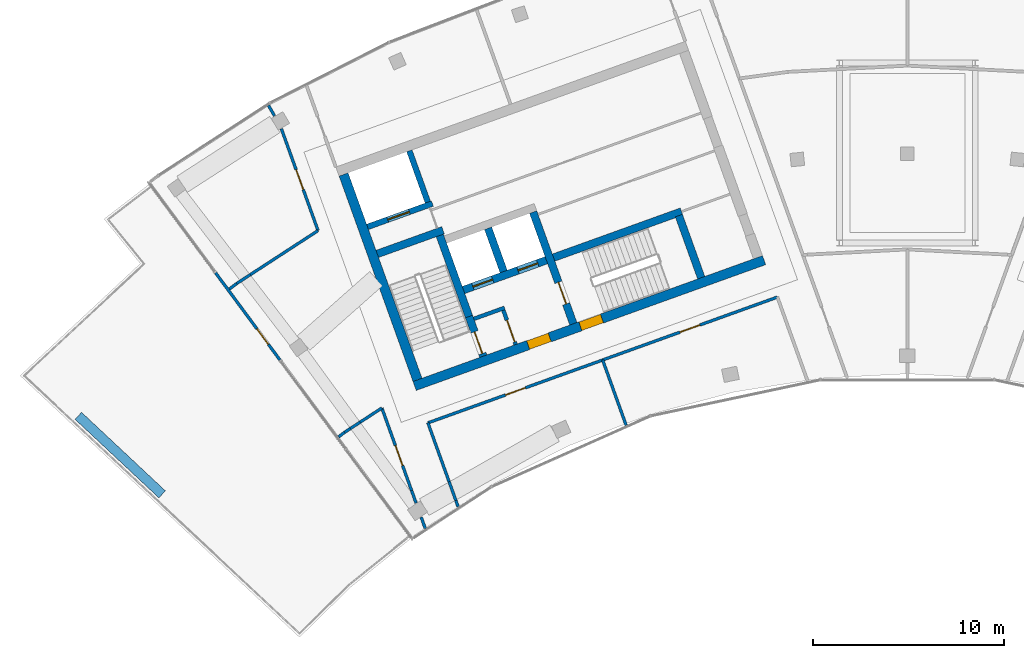
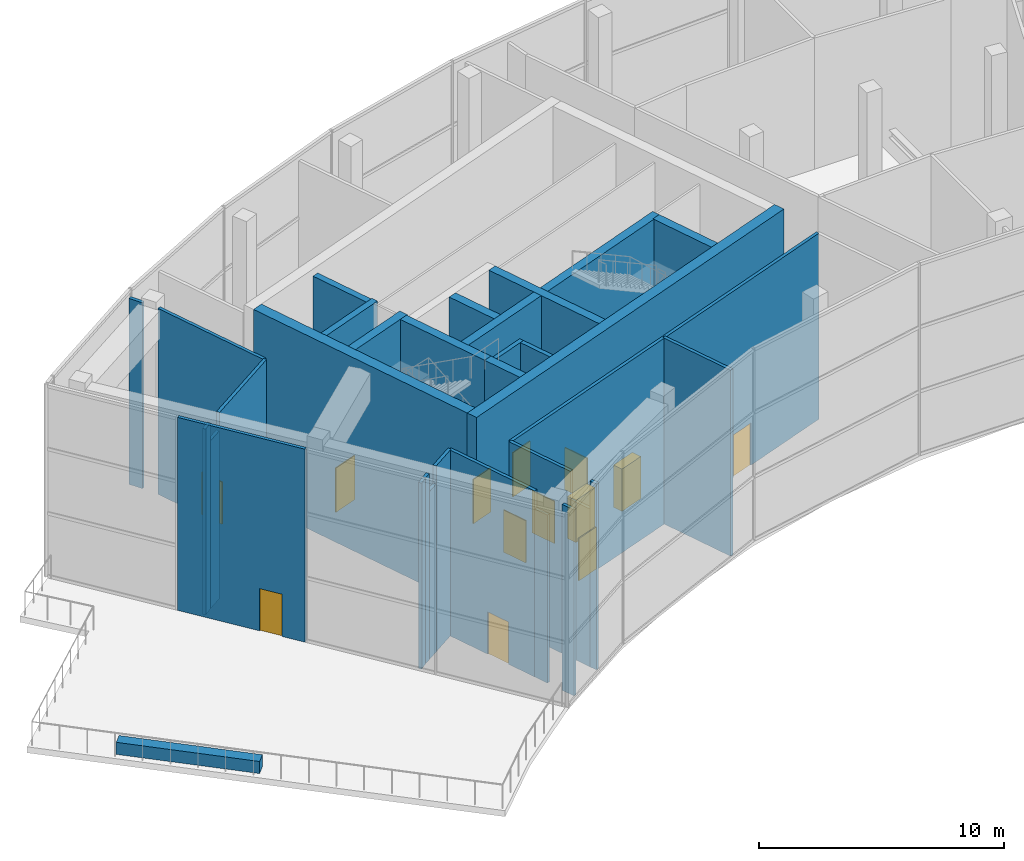
# One storey, part 13 of 20: 33 walls, 13 doors, 13 openings.
"""IFC4 building model written with IfcOpenShell, lengths in metres."""

from ifc_helpers import new_model, si_unit, direction, frame, frame_2d, origin, origin_2d, place, context, subcontext, project, spatial, rectangle, extrude, material, layer, layer_set, type_object, element, fill, save


model = new_model("IFC4")

# Units and contexts
model_context = context("Model", 3, precision=1e-05, world=origin(), true_north=direction((0.0, 1.0)))
body_context = subcontext(model_context, "Body", "Model", "MODEL_VIEW")
ifc_project = project(units=[si_unit("LENGTHUNIT", "METRE"), si_unit("AREAUNIT", "SQUARE_METRE"), si_unit("VOLUMEUNIT", "CUBIC_METRE"), si_unit("PLANEANGLEUNIT", "RADIAN"), si_unit("MASSUNIT", "GRAM", prefix="KILO")], contexts=[model_context])

# Site, building, storey
site_placement = place(None, origin())
site = spatial("IfcSite", under=ifc_project, at=site_placement, CompositionType="ELEMENT")
building_placement = place(site_placement, origin())
building = spatial("IfcBuilding", under=site, at=building_placement, Name="Stone Belt Terrace Tower", CompositionType="ELEMENT")
storey_placement = place(building_placement, frame((0.0, 0.0, 323.0)))
storey = spatial("IfcBuildingStorey", under=building, at=storey_placement, Name="L78", CompositionType="ELEMENT", Elevation=323.0)

# Wall, opening, door
ifc_material_1 = material(Name="Terracotta coloured glazed ceramic", Category="masonry")
ifc_layer_1 = layer(ifc_material_1, 0.14990234375)
ifc_layer_set_1 = layer_set([ifc_layer_1], Name="Ceramic rain-screen wall 150")
wall_type_1 = type_object("IfcWallType", Name="Ceramic rain-screen wall 150", PredefinedType="SOLIDWALL", material=ifc_layer_set_1)
wall_1_placement = place(storey_placement, frame((-36.138671875, 48.7822265625, 0.0), z_axis=(0.0, 0.0, 1.0), x_axis=(0.594245769547, -0.80428351057, 0.0)))
wall_1 = element("IfcWall", 1, at=wall_1_placement, inside=storey, type_object=wall_type_1, Name="Door wall L78", PredefinedType="SOLIDWALL", context=body_context, shape_type="SweptSolid", body=[
    extrude(rectangle(XDim=5.669921875, YDim=0.14990234375, at=frame_2d((2.8349609375, 0.0))), origin(), (0.0, 0.0, 1.0), 9.60009765625),
])
opening_1_placement = place(wall_1_placement, frame((3.64990234375, 0.0, 0.0)))
opening_1 = element("IfcOpeningElement", 2, at=opening_1_placement, cuts=wall_1, Name="Opening L78-E02", PredefinedType="OPENING", context=body_context, shape_type="SweptSolid", body=[
    extrude(rectangle(XDim=1.0, YDim=2.10009765625, at=frame_2d((0.5, 1.050048828125))), frame((0.0, 0.0849609375, 0.0), z_axis=(0.0, -1.0, 0.0), x_axis=(1.0, 0.0, 0.0)), (0.0, 0.0, 1.0), 0.169921875),
])
ifc_material_2 = material(Name="Anodised aluminium glazed door", Category="aluminium")
door_type_1 = type_object("IfcDoorType", Name="Terrace door 1000 x 2100", OperationType="NOTDEFINED", PredefinedType="DOOR", material=ifc_material_2)
door_1_placement = place(opening_1_placement, origin())
door_1 = element("IfcDoor", 3, at=door_1_placement, inside=storey, type_object=door_type_1, Name="Terrace door L78", OperationType="SINGLE_SWING_RIGHT", OverallHeight=2.10009765625, OverallWidth=1.0, PredefinedType="DOOR", context=body_context, shape_type="SweptSolid", body=[
    extrude(rectangle(XDim=1.0, YDim=2.10009765625, at=frame_2d((0.5, 1.050048828125))), frame((0.0, 0.02490234375, 0.0), z_axis=(0.0, -1.0, 0.0), x_axis=(1.0, 0.0, 0.0)), (0.0, 0.0, 1.0), 0.050048828125),
])
fill(opening_1, door_1)

# Wall, openings, doors
ifc_material_3 = material(Name="Concrete B60", Category="concrete")
ifc_layer_2 = layer(ifc_material_3, 0.5)
ifc_layer_set_2 = layer_set([ifc_layer_2], Name="Core wall 500 B60")
wall_type_2 = type_object("IfcWallType", Name="Core wall 500 B60", PredefinedType="SHEAR", material=ifc_layer_set_2)
wall_2_placement = place(storey_placement, frame((-25.736572265625, 42.867431640625, 0.0), z_axis=(0.0, 0.0, 1.0), x_axis=(0.940917407757, 0.338636134781, 0.0)))
wall_2 = element("IfcWall", 4, at=wall_2_placement, inside=storey, type_object=wall_type_2, Name="Core A wall concave L78", PredefinedType="SHEAR", context=body_context, shape_type="SweptSolid", body=[
    extrude(rectangle(XDim=19.400146484375, YDim=0.5, at=frame_2d((9.7001953125, 0.0))), origin(), (0.0, 0.0, 1.0), 9.60009765625),
])
opening_2_placement = place(wall_2_placement, frame((6.300048828125, 0.0, 0.0)))
opening_2 = element("IfcOpeningElement", 5, at=opening_2_placement, cuts=wall_2, Name="Opening L78-C07", PredefinedType="OPENING", context=body_context, shape_type="SweptSolid", body=[
    extrude(rectangle(XDim=1.199951171875, YDim=2.10009765625, at=frame_2d((0.60009765625, 1.050048828125))), frame((0.0, 0.260009765625, 0.0), z_axis=(0.0, -1.0, 0.0), x_axis=(1.0, 0.0, 0.0)), (0.0, 0.0, 1.0), 0.52001953125),
])
opening_3_placement = place(wall_2_placement, frame((9.2001953125, 0.0, 0.0)))
opening_3 = element("IfcOpeningElement", 6, at=opening_3_placement, cuts=wall_2, Name="Opening L78-C09", PredefinedType="OPENING", context=body_context, shape_type="SweptSolid", body=[
    extrude(rectangle(XDim=1.199951171875, YDim=2.10009765625, at=frame_2d((0.60009765625, 1.050048828125))), frame((0.0, 0.260009765625, 0.0), z_axis=(0.0, -1.0, 0.0), x_axis=(1.0, 0.0, 0.0)), (0.0, 0.0, 1.0), 0.52001953125),
])
ifc_material_4 = material(Name="Steel door leaf", Category="steel")
door_type_2 = type_object("IfcDoorType", Name="Fire-fighting lobby door 1200", OperationType="SINGLE_SWING_LEFT", PredefinedType="DOOR", material=ifc_material_4)
door_2_placement = place(opening_2_placement, origin())
door_2 = element("IfcDoor", 7, at=door_2_placement, inside=storey, type_object=door_type_2, Name="Fire-fighting lobby door core A", OperationType="SINGLE_SWING_RIGHT", OverallHeight=2.10009765625, OverallWidth=1.199951171875, PredefinedType="DOOR", context=body_context, shape_type="SweptSolid", body=[
    extrude(rectangle(XDim=1.199951171875, YDim=2.10009765625, at=frame_2d((0.60009765625, 1.050048828125))), frame((0.0, 0.22998046875, 0.0), z_axis=(0.0, -1.0, 0.0), x_axis=(1.0, 0.0, 0.0)), (0.0, 0.0, 1.0), 0.4599609375),
])
fill(opening_2, door_2)
door_type_3 = type_object("IfcDoorType", Name="Stair door 1200", OperationType="SINGLE_SWING_LEFT", PredefinedType="DOOR", material=ifc_material_4)
door_3_placement = place(opening_3_placement, origin())
door_3 = element("IfcDoor", 8, at=door_3_placement, inside=storey, type_object=door_type_3, Name="Stair 2 exit door core A", OperationType="SINGLE_SWING_LEFT", OverallHeight=2.10009765625, OverallWidth=1.199951171875, PredefinedType="DOOR", context=body_context, shape_type="SweptSolid", body=[
    extrude(rectangle(XDim=1.199951171875, YDim=2.10009765625, at=frame_2d((0.60009765625, 1.050048828125))), frame((0.0, 0.22998046875, 0.0), z_axis=(0.0, -1.0, 0.0), x_axis=(1.0, 0.0, 0.0)), (0.0, 0.0, 1.0), 0.4599609375),
])
fill(opening_3, door_3)

# Walls
wall_3_placement = place(storey_placement, frame((-25.5859375, 43.1875, 0.0), z_axis=(0.0, 0.0, 1.0), x_axis=(-0.338632255135, 0.940918804033, 0.0)))
element("IfcWall", 9, at=wall_3_placement, inside=storey, type_object=wall_type_2, Name="Core A wall end_a L78", PredefinedType="SHEAR", context=body_context, shape_type="SweptSolid", body=[
    extrude(rectangle(XDim=11.39990234375, YDim=0.5, at=frame_2d((5.699951171875, 0.0))), origin(), (0.0, 0.0, 1.0), 9.60009765625),
])
ifc_material_5 = material(Name="Concrete B80", Category="concrete")
ifc_layer_3 = layer(ifc_material_5, 0.39990234375)
ifc_layer_set_3 = layer_set([ifc_layer_3], Name="Fire-fighting lift shaft wall 400")
wall_type_3 = type_object("IfcWallType", Name="Fire-fighting lift shaft wall 400", PredefinedType="SHEAR", material=ifc_layer_set_3)
wall_4_placement = place(storey_placement, frame((-21.0859375, 48.845458984375, 0.0), z_axis=(0.0, 0.0, 1.0), x_axis=(-0.338629416206, 0.940919825745, 0.0)))
element("IfcWall", 10, at=wall_4_placement, inside=storey, type_object=wall_type_3, Name="Core A wall", PredefinedType="SHEAR", context=body_context, shape_type="SweptSolid", body=[
    extrude(rectangle(XDim=2.400146484375, YDim=0.39990234375, at=frame_2d((1.2001953125, 0.0))), origin(), (0.0, 0.0, 1.0), 9.25),
])

# Wall, opening, door
ifc_layer_4 = layer(ifc_material_5, 0.300048828125)
ifc_layer_set_4 = layer_set([ifc_layer_4], Name="Lift shaft wall 300")
wall_type_4 = type_object("IfcWallType", Name="Lift shaft wall 300", PredefinedType="SHEAR", material=ifc_layer_set_4)
wall_5_placement = place(storey_placement, frame((-28.195068359375, 51.17578125, 0.0), z_axis=(0.0, 0.0, 1.0), x_axis=(0.940901243567, 0.338681044427, 0.0)))
wall_5 = element("IfcWall", 11, at=wall_5_placement, inside=storey, type_object=wall_type_4, Name="Core A wall", PredefinedType="SHEAR", context=body_context, shape_type="SweptSolid", body=[
    extrude(rectangle(XDim=3.599853515625, YDim=0.300048828125, at=frame_2d((1.7998046875, 0.0))), origin(), (0.0, 0.0, 1.0), 9.25),
])
opening_4_placement = place(wall_5_placement, frame((1.1201171875, 0.0, 0.0)))
opening_4 = element("IfcOpeningElement", 12, at=opening_4_placement, cuts=wall_5, Name="Opening L78-LD03", PredefinedType="OPENING", context=body_context, shape_type="SweptSolid", body=[
    extrude(rectangle(XDim=1.199951171875, YDim=2.199951171875, at=frame_2d((0.60009765625, 1.10009765625))), frame((0.0, 0.159912109375, 0.0), z_axis=(0.0, -1.0, 0.0), x_axis=(1.0, 0.0, 0.0)), (0.0, 0.0, 1.0), 0.320068359375),
])
ifc_material_6 = material(Name="Stainless steel door leaf", Category="steel")
door_type_4 = type_object("IfcDoorType", Name="Landing door 1200", OperationType="SLIDING_TO_LEFT", PredefinedType="DOOR", material=ifc_material_6)
door_4_placement = place(opening_4_placement, origin())
door_4 = element("IfcDoor", 13, at=door_4_placement, inside=storey, type_object=door_type_4, Name="Landing door SV1 core A", OperationType="SLIDING_TO_LEFT", OverallHeight=2.199951171875, OverallWidth=1.199951171875, PredefinedType="DOOR", context=body_context, shape_type="SweptSolid", body=[
    extrude(rectangle(XDim=1.199951171875, YDim=2.199951171875, at=frame_2d((0.60009765625, 1.10009765625))), frame((0.0, 0.02490234375, 0.0), z_axis=(0.0, -1.0, 0.0), x_axis=(1.0, 0.0, 0.0)), (0.0, 0.0, 1.0), 0.050048828125),
])
fill(opening_4, door_4)

# Walls
wall_6_placement = place(storey_placement, frame((-25.046875, 52.46826171875, 0.0), z_axis=(0.0, 0.0, 1.0), x_axis=(-0.338549588058, 0.940948551423, 0.0)))
element("IfcWall", 14, at=wall_6_placement, inside=storey, type_object=wall_type_4, Name="Core A wall", PredefinedType="SHEAR", context=body_context, shape_type="SweptSolid", body=[
    extrude(rectangle(XDim=2.849853515625, YDim=0.300048828125, at=frame_2d((1.4248046875, 0.0))), origin(), (0.0, 0.0, 1.0), 9.25),
])
ifc_material_7 = material(Name="Gypsum board partition")
ifc_layer_5 = layer(ifc_material_7, 0.14990234375)
ifc_layer_set_5 = layer_set([ifc_layer_5], Name="PARTITION 150 EI 60")
wall_type_5 = type_object("IfcWallType", Name="PARTITION 150 EI 60", PredefinedType="PARTITIONING", material=ifc_layer_set_5)
wall_7_placement = place(storey_placement, frame((-25.0439453125, 40.945068359375, 0.0), z_axis=(0.0, 0.0, 1.0), x_axis=(0.33879876068, -0.940858862828, 0.0)))
element("IfcWall", 15, at=wall_7_placement, inside=storey, type_object=wall_type_5, Name="L78/wall/i001-1", PredefinedType="PARTITIONING", context=body_context, shape_type="SweptSolid", body=[
    extrude(rectangle(XDim=3.270751953125, YDim=0.14990234375, at=frame_2d((1.63525390625, 0.0))), origin(), (0.0, 0.0, 1.0), 9.25),
])
wall_8_placement = place(storey_placement, frame((-23.935791015625, 37.86767578125, 0.0), z_axis=(0.0, 0.0, 1.0), x_axis=(0.339085061731, -0.940755717979, 0.0)))
element("IfcWall", 16, at=wall_8_placement, inside=storey, type_object=wall_type_5, Name="L78/wall/i001-2", PredefinedType="PARTITIONING", context=body_context, shape_type="SweptSolid", body=[
    extrude(rectangle(XDim=1.040283203125, YDim=0.14990234375, at=frame_2d((0.52001953125, 0.0))), origin(), (0.0, 0.0, 1.0), 7.85009765625),
])
wall_9_placement = place(storey_placement, frame((-23.5830078125, 36.888916015625, 0.0), z_axis=(0.0, 0.0, 1.0), x_axis=(0.338619334667, -0.940923453948, 0.0)))
element("IfcWall", 17, at=wall_9_placement, inside=storey, type_object=wall_type_5, Name="L78/wall/i001-3", PredefinedType="PARTITIONING", context=body_context, shape_type="SweptSolid", body=[
    extrude(rectangle(XDim=0.345458984375, YDim=0.14990234375, at=frame_2d((0.1728515625, 0.0))), origin(), (0.0, 0.0, 1.0), 9.25),
])
wall_10_placement = place(storey_placement, frame((-25.181640625, 35.423828125, 0.0), z_axis=(0.0, 0.0, 1.0), x_axis=(-0.338733287136, 0.940882436963, 0.0)))
element("IfcWall", 18, at=wall_10_placement, inside=storey, type_object=wall_type_5, Name="L78/wall/i003", PredefinedType="PARTITIONING", context=body_context, shape_type="SweptSolid", body=[
    extrude(rectangle(XDim=0.62548828125, YDim=0.14990234375, at=frame_2d((0.312744140625, 0.0))), origin(), (0.0, 0.0, 1.0), 9.25),
])
wall_11_placement = place(storey_placement, frame((-25.66064453125, 36.75390625, 0.0), z_axis=(0.0, 0.0, 1.0), x_axis=(-0.338833735887, 0.940846267689, 0.0)))
element("IfcWall", 19, at=wall_11_placement, inside=storey, type_object=wall_type_5, Name="L78/wall/i004-1", PredefinedType="PARTITIONING", context=body_context, shape_type="SweptSolid", body=[
    extrude(rectangle(XDim=0.680908203125, YDim=0.14990234375, at=frame_2d((0.34033203125, 0.0))), origin(), (0.0, 0.0, 1.0), 8.35009765625),
])

# Wall, opening, door
wall_12_placement = place(storey_placement, frame((-25.891357421875, 37.39453125, 0.0), z_axis=(0.0, 0.0, 1.0), x_axis=(-0.33887021334, 0.940833130003, 0.0)))
wall_12 = element("IfcWall", 20, at=wall_12_placement, inside=storey, type_object=wall_type_5, Name="L78/wall/i004-2", PredefinedType="PARTITIONING", context=body_context, shape_type="SweptSolid", body=[
    extrude(rectangle(XDim=4.587890625, YDim=0.14990234375, at=frame_2d((2.2939453125, 0.0))), origin(), (0.0, 0.0, 1.0), 9.25),
])
opening_5_placement = place(wall_12_placement, frame((1.4033203125, 0.0, 0.0)))
opening_5 = element("IfcOpeningElement", 21, at=opening_5_placement, cuts=wall_12, Name="Opening D-C78-09", PredefinedType="OPENING", context=body_context, shape_type="SweptSolid", body=[
    extrude(rectangle(XDim=1.10009765625, YDim=2.10009765625, at=frame_2d((0.550048828125, 1.050048828125))), frame((0.0, 0.0849609375, 0.0), z_axis=(0.0, -1.0, 0.0), x_axis=(1.0, 0.0, 0.0)), (0.0, 0.0, 1.0), 0.169921875),
])
ifc_material_8 = material(Name="Steel fire door set", Category="steel")
door_type_5 = type_object("IfcDoorType", Name="SERVICE ROOM DOOR 1100 X 2100", OperationType="NOTDEFINED", PredefinedType="DOOR", material=ifc_material_8)
door_5_placement = place(opening_5_placement, origin())
door_5 = element("IfcDoor", 22, at=door_5_placement, inside=storey, type_object=door_type_5, Name="L78/door/i09", OperationType="SINGLE_SWING_RIGHT", OverallHeight=2.10009765625, OverallWidth=1.10009765625, PredefinedType="DOOR", context=body_context, shape_type="SweptSolid", body=[
    extrude(rectangle(XDim=1.10009765625, YDim=2.10009765625, at=frame_2d((0.550048828125, 1.050048828125))), frame((0.0, 0.02490234375, 0.0), z_axis=(0.0, -1.0, 0.0), x_axis=(1.0, 0.0, 0.0)), (0.0, 0.0, 1.0), 0.050048828125),
])
fill(opening_5, door_5)

# Walls
wall_13_placement = place(storey_placement, frame((-27.448974609375, 41.714111328125, 0.0), z_axis=(0.0, 0.0, 1.0), x_axis=(-0.837998084707, -0.545673171437, 0.0)))
element("IfcWall", 23, at=wall_13_placement, inside=storey, type_object=wall_type_5, Name="L78/wall/i005-1", PredefinedType="PARTITIONING", context=body_context, shape_type="SweptSolid", body=[
    extrude(rectangle(XDim=1.35302734375, YDim=0.14990234375, at=frame_2d((0.676513671875, 0.0))), origin(), (0.0, 0.0, 1.0), 9.25),
])
wall_14_placement = place(storey_placement, frame((-28.582763671875, 40.975830078125, 0.0), z_axis=(0.0, 0.0, 1.0), x_axis=(-0.838049275075, -0.545594549594, 0.0)))
element("IfcWall", 24, at=wall_14_placement, inside=storey, type_object=wall_type_5, Name="L78/wall/i005-2", PredefinedType="PARTITIONING", context=body_context, shape_type="SweptSolid", body=[
    extrude(rectangle(XDim=0.608642578125, YDim=0.14990234375, at=frame_2d((0.30419921875, 0.0))), origin(), (0.0, 0.0, 1.0), 8.35009765625),
])
wall_15_placement = place(storey_placement, frame((-29.0927734375, 40.643798828125, 0.0), z_axis=(0.0, 0.0, 1.0), x_axis=(-0.837954004387, -0.545740860236, 0.0)))
element("IfcWall", 25, at=wall_15_placement, inside=storey, type_object=wall_type_5, Name="L78/wall/i005-3", PredefinedType="PARTITIONING", context=body_context, shape_type="SweptSolid", body=[
    extrude(rectangle(XDim=0.353515625, YDim=0.14990234375, at=frame_2d((0.1767578125, 0.0))), origin(), (0.0, 0.0, 1.0), 9.25),
])
wall_16_placement = place(storey_placement, frame((-29.388916015625, 40.450927734375, 0.0), z_axis=(0.0, 0.0, 1.0), x_axis=(-0.796640936155, -0.604452825986, 0.0)))
element("IfcWall", 26, at=wall_16_placement, inside=storey, type_object=wall_type_5, Name="L78/wall/i006", PredefinedType="PARTITIONING", context=body_context, shape_type="SweptSolid", body=[
    extrude(rectangle(XDim=0.402587890625, YDim=0.14990234375, at=frame_2d((0.201171875, 0.0))), origin(), (0.0, 0.0, 1.0), 9.25),
])
wall_17_placement = place(storey_placement, frame((-35.411865234375, 47.9296875, 0.0), z_axis=(0.0, 0.0, 1.0), x_axis=(0.797533018474, 0.603275297393, 0.0)))
element("IfcWall", 27, at=wall_17_placement, inside=storey, type_object=wall_type_5, Name="L78/wall/i007", PredefinedType="PARTITIONING", context=body_context, shape_type="SweptSolid", body=[
    extrude(rectangle(XDim=0.476318359375, YDim=0.14990234375, at=frame_2d((0.23828125, 0.0))), origin(), (0.0, 0.0, 1.0), 9.25),
])
wall_18_placement = place(storey_placement, frame((-35.031982421875, 48.217041015625, 0.0), z_axis=(0.0, 0.0, 1.0), x_axis=(0.838206459551, 0.545353033518, 0.0)))
element("IfcWall", 28, at=wall_18_placement, inside=storey, type_object=wall_type_5, Name="L78/wall/i008-2", PredefinedType="PARTITIONING", context=body_context, shape_type="SweptSolid", body=[
    extrude(rectangle(XDim=0.846923828125, YDim=0.14990234375, at=frame_2d((0.42333984375, 0.0))), origin(), (0.0, 0.0, 1.0), 8.35009765625),
])
wall_19_placement = place(storey_placement, frame((-34.322021484375, 48.678955078125, 0.0), z_axis=(0.0, 0.0, 1.0), x_axis=(0.838200386121, 0.545362368254, 0.0)))
element("IfcWall", 29, at=wall_19_placement, inside=storey, type_object=wall_type_5, Name="L78/wall/i008-3", PredefinedType="PARTITIONING", context=body_context, shape_type="SweptSolid", body=[
    extrude(rectangle(XDim=4.220947265625, YDim=0.14990234375, at=frame_2d((2.1103515625, 0.0))), origin(), (0.0, 0.0, 1.0), 9.25),
])

# Wall, opening, door
wall_20_placement = place(storey_placement, frame((-30.781982421875, 50.986083984375, 0.0), z_axis=(0.0, 0.0, 1.0), x_axis=(-0.338880075228, 0.94082957788, 0.0)))
wall_20 = element("IfcWall", 30, at=wall_20_placement, inside=storey, type_object=wall_type_5, Name="L78/wall/i009", PredefinedType="PARTITIONING", context=body_context, shape_type="SweptSolid", body=[
    extrude(rectangle(XDim=5.65185546875, YDim=0.14990234375, at=frame_2d((2.825927734375, 0.0))), origin(), (0.0, 0.0, 1.0), 9.25),
])
opening_6_placement = place(wall_20_placement, frame((2.27587890625, 0.0, 0.0)))
opening_6 = element("IfcOpeningElement", 31, at=opening_6_placement, cuts=wall_20, Name="Opening D-C78-10", PredefinedType="OPENING", context=body_context, shape_type="SweptSolid", body=[
    extrude(rectangle(XDim=1.10009765625, YDim=2.10009765625, at=frame_2d((0.550048828125, 1.050048828125))), frame((0.0, 0.0849609375, 0.0), z_axis=(0.0, -1.0, 0.0), x_axis=(1.0, 0.0, 0.0)), (0.0, 0.0, 1.0), 0.169921875),
])
door_6_placement = place(opening_6_placement, origin())
door_6 = element("IfcDoor", 32, at=door_6_placement, inside=storey, type_object=door_type_5, Name="L78/door/i10", OperationType="SINGLE_SWING_RIGHT", OverallHeight=2.10009765625, OverallWidth=1.10009765625, PredefinedType="DOOR", context=body_context, shape_type="SweptSolid", body=[
    extrude(rectangle(XDim=1.10009765625, YDim=2.10009765625, at=frame_2d((0.550048828125, 1.050048828125))), frame((0.0, 0.02490234375, 0.0), z_axis=(0.0, -1.0, 0.0), x_axis=(1.0, 0.0, 0.0)), (0.0, 0.0, 1.0), 0.050048828125),
])
fill(opening_6, door_6)

# Wall
wall_21_placement = place(storey_placement, frame((-33.05419921875, 56.974853515625, 0.0), z_axis=(0.0, 0.0, 1.0), x_axis=(-0.501776664116, 0.864997213492, 0.0)))
element("IfcWall", 33, at=wall_21_placement, inside=storey, type_object=wall_type_5, Name="L78/wall/i010", PredefinedType="PARTITIONING", context=body_context, shape_type="SweptSolid", body=[
    extrude(rectangle(XDim=0.623779296875, YDim=0.14990234375, at=frame_2d((0.31201171875, 0.0))), origin(), (0.0, 0.0, 1.0), 9.25),
])

# Wall, opening, door
wall_22_placement = place(storey_placement, frame((-15.908935546875, 44.22509765625, 0.0), z_axis=(0.0, 0.0, 1.0), x_axis=(-0.940945435026, -0.338558249498, 0.0)))
wall_22 = element("IfcWall", 34, at=wall_22_placement, inside=storey, type_object=wall_type_5, Name="L78/wall/i017", PredefinedType="PARTITIONING", context=body_context, shape_type="SweptSolid", body=[
    extrude(rectangle(XDim=9.706298828125, YDim=0.14990234375, at=frame_2d((4.85302734375, 0.0))), origin(), (0.0, 0.0, 1.0), 9.25),
])
opening_7_placement = place(wall_22_placement, frame((4.302978515625, 0.0, 0.0)))
opening_7 = element("IfcOpeningElement", 35, at=opening_7_placement, cuts=wall_22, Name="Opening D-C78-01", PredefinedType="OPENING", context=body_context, shape_type="SweptSolid", body=[
    extrude(rectangle(XDim=1.10009765625, YDim=2.10009765625, at=frame_2d((0.550048828125, 1.050048828125))), frame((0.0, 0.0849609375, 0.0), z_axis=(0.0, -1.0, 0.0), x_axis=(1.0, 0.0, 0.0)), (0.0, 0.0, 1.0), 0.169921875),
])
door_7_placement = place(opening_7_placement, origin())
door_7 = element("IfcDoor", 36, at=door_7_placement, inside=storey, type_object=door_type_5, Name="L78/door/i01", OperationType="SINGLE_SWING_LEFT", OverallHeight=2.10009765625, OverallWidth=1.10009765625, PredefinedType="DOOR", context=body_context, shape_type="SweptSolid", body=[
    extrude(rectangle(XDim=1.10009765625, YDim=2.10009765625, at=frame_2d((0.550048828125, 1.050048828125))), frame((0.0, 0.02490234375, 0.0), z_axis=(0.0, -1.0, 0.0), x_axis=(1.0, 0.0, 0.0)), (0.0, 0.0, 1.0), 0.050048828125),
])
fill(opening_7, door_7)

wall_23_placement = place(storey_placement, frame((-6.7880859375, 47.508056640625, 0.0), z_axis=(0.0, 0.0, 1.0), x_axis=(-0.940942551854, -0.33856626251, 0.0)))
wall_23 = element("IfcWall", 37, at=wall_23_placement, inside=storey, type_object=wall_type_5, Name="L78/wall/i018", PredefinedType="PARTITIONING", context=body_context, shape_type="SweptSolid", body=[
    extrude(rectangle(XDim=9.7060546875, YDim=0.14990234375, at=frame_2d((4.85302734375, 0.0))), origin(), (0.0, 0.0, 1.0), 9.25),
])
opening_8_placement = place(wall_23_placement, frame((4.302978515625, 0.0, 0.0)))
opening_8 = element("IfcOpeningElement", 38, at=opening_8_placement, cuts=wall_23, Name="Opening D-C78-02", PredefinedType="OPENING", context=body_context, shape_type="SweptSolid", body=[
    extrude(rectangle(XDim=1.10009765625, YDim=2.10009765625, at=frame_2d((0.550048828125, 1.050048828125))), frame((0.0, 0.0849609375, 0.0), z_axis=(0.0, -1.0, 0.0), x_axis=(1.0, 0.0, 0.0)), (0.0, 0.0, 1.0), 0.169921875),
])
door_8_placement = place(opening_8_placement, origin())
door_8 = element("IfcDoor", 39, at=door_8_placement, inside=storey, type_object=door_type_5, Name="L78/door/i02", OperationType="SINGLE_SWING_RIGHT", OverallHeight=2.10009765625, OverallWidth=1.10009765625, PredefinedType="DOOR", context=body_context, shape_type="SweptSolid", body=[
    extrude(rectangle(XDim=1.10009765625, YDim=2.10009765625, at=frame_2d((0.550048828125, 1.050048828125))), frame((0.0, 0.02490234375, 0.0), z_axis=(0.0, -1.0, 0.0), x_axis=(1.0, 0.0, 0.0)), (0.0, 0.0, 1.0), 0.050048828125),
])
fill(opening_8, door_8)

# Walls
wall_24_placement = place(storey_placement, frame((-15.9150390625, 44.222900390625, 0.0), z_axis=(0.0, 0.0, 1.0), x_axis=(0.338612024212, -0.940926084801, 0.0)))
element("IfcWall", 40, at=wall_24_placement, inside=storey, type_object=wall_type_5, Name="L78/wall/i019", PredefinedType="PARTITIONING", context=body_context, shape_type="SweptSolid", body=[
    extrude(rectangle(XDim=3.620849609375, YDim=0.14990234375, at=frame_2d((1.810546875, 0.0))), origin(), (0.0, 0.0, 1.0), 9.25),
])
ifc_material_9 = material(Name="Precast concrete C40/50", Category="concrete")
ifc_layer_6 = layer(ifc_material_9, 0.5)
ifc_layer_set_6 = layer_set([ifc_layer_6], Name="Planter box 500 x 600")
wall_type_6 = type_object("IfcWallType", Name="Planter box 500 x 600", PredefinedType="SOLIDWALL", material=ifc_layer_set_6)
wall_25_placement = place(storey_placement, frame((-41.114501953125, 39.2568359375, 0.0), z_axis=(0.0, 0.0, 1.0), x_axis=(0.729904219708, -0.683549434973, 0.0)))
element("IfcWall", 41, at=wall_25_placement, inside=storey, type_object=wall_type_6, Name="PLANTER L78 1", PredefinedType="SOLIDWALL", context=body_context, shape_type="SweptSolid", body=[
    extrude(rectangle(XDim=6.0, YDim=0.5, at=origin_2d()), origin(), (0.0, 0.0, 1.0), 0.60009765625),
])
ifc_material_10 = material(Name="Concrete masonry block", Category="masonry")
ifc_layer_7 = layer(ifc_material_10, 0.199951171875)
ifc_layer_set_7 = layer_set([ifc_layer_7], Name="Rated lobby wall 200")
wall_type_7 = type_object("IfcWallType", Name="Rated lobby wall 200", PredefinedType="PARTITIONING", material=ifc_layer_set_7)
wall_26_placement = place(storey_placement, frame((-22.640625, 46.373046875, 0.0), z_axis=(0.0, 0.0, 1.0), x_axis=(0.940966110313, 0.338500781747, 0.0)))
element("IfcWall", 42, at=wall_26_placement, inside=storey, type_object=wall_type_7, Name="Core A wall", PredefinedType="PARTITIONING", context=body_context, shape_type="SweptSolid", body=[
    extrude(rectangle(XDim=1.699951171875, YDim=0.199951171875, at=frame_2d((0.85009765625, 0.0))), origin(), (0.0, 0.0, 1.0), 9.25),
])

# Wall, opening, door
wall_27_placement = place(storey_placement, frame((-20.4580078125, 45.032958984375, 0.0), z_axis=(0.0, 0.0, 1.0), x_axis=(-0.338573865316, 0.940939816208, 0.0)))
wall_27 = element("IfcWall", 43, at=wall_27_placement, inside=storey, type_object=wall_type_7, Name="Core A wall", PredefinedType="PARTITIONING", context=body_context, shape_type="SweptSolid", body=[
    extrude(rectangle(XDim=1.900146484375, YDim=0.199951171875, at=frame_2d((0.9501953125, 0.0))), origin(), (0.0, 0.0, 1.0), 9.25),
])
opening_9_placement = place(wall_27_placement, frame((0.14990234375, 0.0, 0.0)))
opening_9 = element("IfcOpeningElement", 44, at=opening_9_placement, cuts=wall_27, Name="Opening L78-C06", PredefinedType="OPENING", context=body_context, shape_type="SweptSolid", body=[
    extrude(rectangle(XDim=1.199951171875, YDim=2.10009765625, at=frame_2d((0.60009765625, 1.050048828125))), frame((0.0, 0.10986328125, 0.0), z_axis=(0.0, -1.0, 0.0), x_axis=(1.0, 0.0, 0.0)), (0.0, 0.0, 1.0), 0.219970703125),
])
door_9_placement = place(opening_9_placement, origin())
door_9 = element("IfcDoor", 45, at=door_9_placement, inside=storey, type_object=door_type_3, Name="Stair airlock door core A", OperationType="SINGLE_SWING_RIGHT", OverallHeight=2.10009765625, OverallWidth=1.199951171875, PredefinedType="DOOR", context=body_context, shape_type="SweptSolid", body=[
    extrude(rectangle(XDim=1.199951171875, YDim=2.10009765625, at=frame_2d((0.60009765625, 1.050048828125))), frame((0.0, 0.02490234375, 0.0), z_axis=(0.0, -1.0, 0.0), x_axis=(1.0, 0.0, 0.0)), (0.0, 0.0, 1.0), 0.050048828125),
])
fill(opening_9, door_9)

# Wall
ifc_layer_8 = layer(ifc_material_5, 0.39990234375)
ifc_layer_set_8 = layer_set([ifc_layer_8], Name="Stair enclosure wall 400")
wall_type_8 = type_object("IfcWallType", Name="Stair enclosure wall 400", PredefinedType="SHEAR", material=ifc_layer_set_8)
wall_28_placement = place(storey_placement, frame((-27.687255859375, 49.764404296875, 0.0), z_axis=(0.0, 0.0, 1.0), x_axis=(0.940918954884, 0.338631835981, 0.0)))
element("IfcWall", 46, at=wall_28_placement, inside=storey, type_object=wall_type_8, Name="Core A wall", PredefinedType="SHEAR", context=body_context, shape_type="SweptSolid", body=[
    extrude(rectangle(XDim=3.650146484375, YDim=0.39990234375, at=frame_2d((1.8251953125, 0.0))), origin(), (0.0, 0.0, 1.0), 9.25),
])

# Wall, opening, door
wall_29_placement = place(storey_placement, frame((-22.151611328125, 44.42333984375, 0.0), z_axis=(0.0, 0.0, 1.0), x_axis=(-0.338577997708, 0.940938329259, 0.0)))
wall_29 = element("IfcWall", 47, at=wall_29_placement, inside=storey, type_object=wall_type_8, Name="Core A wall", PredefinedType="SHEAR", context=body_context, shape_type="SweptSolid", body=[
    extrude(rectangle(XDim=2.199951171875, YDim=0.39990234375, at=frame_2d((1.10009765625, 0.0))), origin(), (0.0, 0.0, 1.0), 9.25),
])
opening_10_placement = place(wall_29_placement, frame((0.14990234375, 0.0, 0.0)))
opening_10 = element("IfcOpeningElement", 48, at=opening_10_placement, cuts=wall_29, Name="Opening L78-C05", PredefinedType="OPENING", context=body_context, shape_type="SweptSolid", body=[
    extrude(rectangle(XDim=1.199951171875, YDim=2.10009765625, at=frame_2d((0.60009765625, 1.050048828125))), frame((0.0, 0.2099609375, 0.0), z_axis=(0.0, -1.0, 0.0), x_axis=(1.0, 0.0, 0.0)), (0.0, 0.0, 1.0), 0.419921875),
])
door_10_placement = place(opening_10_placement, origin())
door_10 = element("IfcDoor", 49, at=door_10_placement, inside=storey, type_object=door_type_3, Name="Stair 1 door core A", OperationType="SINGLE_SWING_RIGHT", OverallHeight=2.10009765625, OverallWidth=1.199951171875, PredefinedType="DOOR", context=body_context, shape_type="SweptSolid", body=[
    extrude(rectangle(XDim=1.199951171875, YDim=2.10009765625, at=frame_2d((0.60009765625, 1.050048828125))), frame((0.0, 0.02490234375, 0.0), z_axis=(0.0, -1.0, 0.0), x_axis=(1.0, 0.0, 0.0)), (0.0, 0.0, 1.0), 0.050048828125),
])
fill(opening_10, door_10)

# Wall
wall_30_placement = place(storey_placement, frame((-22.896484375, 46.493408203125, 0.0), z_axis=(0.0, 0.0, 1.0), x_axis=(-0.338648384874, 0.940912998859, 0.0)))
element("IfcWall", 50, at=wall_30_placement, inside=storey, type_object=wall_type_8, Name="Core A wall", PredefinedType="SHEAR", context=body_context, shape_type="SweptSolid", body=[
    extrude(rectangle(XDim=4.5, YDim=0.39990234375, at=frame_2d((2.25, 0.0))), origin(), (0.0, 0.0, 1.0), 9.25),
])

# Wall, openings, doors
wall_31_placement = place(storey_placement, frame((-23.182373046875, 47.87841796875, 0.0), z_axis=(0.0, 0.0, 1.0), x_axis=(0.940921101762, 0.338625870628, 0.0)))
wall_31 = element("IfcWall", 51, at=wall_31_placement, inside=storey, type_object=wall_type_8, Name="Core A wall", PredefinedType="SHEAR", context=body_context, shape_type="SweptSolid", body=[
    extrude(rectangle(XDim=12.10009765625, YDim=0.39990234375, at=frame_2d((6.050048828125, 0.0))), origin(), (0.0, 0.0, 1.0), 9.25),
])
opening_11_placement = place(wall_31_placement, frame((0.52001953125, 0.0, 0.0)))
opening_11 = element("IfcOpeningElement", 52, at=opening_11_placement, cuts=wall_31, Name="Opening L78-LD01", PredefinedType="OPENING", context=body_context, shape_type="SweptSolid", body=[
    extrude(rectangle(XDim=1.10009765625, YDim=2.199951171875, at=frame_2d((0.550048828125, 1.10009765625))), frame((0.0, 0.2099609375, 0.0), z_axis=(0.0, -1.0, 0.0), x_axis=(1.0, 0.0, 0.0)), (0.0, 0.0, 1.0), 0.419921875),
])
opening_12_placement = place(wall_31_placement, frame((3.02001953125, 0.0, 0.0)))
opening_12 = element("IfcOpeningElement", 53, at=opening_12_placement, cuts=wall_31, Name="Opening L78-LD02", PredefinedType="OPENING", context=body_context, shape_type="SweptSolid", body=[
    extrude(rectangle(XDim=1.10009765625, YDim=2.199951171875, at=frame_2d((0.550048828125, 1.10009765625))), frame((0.0, 0.2099609375, 0.0), z_axis=(0.0, -1.0, 0.0), x_axis=(1.0, 0.0, 0.0)), (0.0, 0.0, 1.0), 0.419921875),
])
door_type_6 = type_object("IfcDoorType", Name="Landing door 1100", OperationType="SLIDING_TO_LEFT", PredefinedType="DOOR", material=ifc_material_6)
door_11_placement = place(opening_11_placement, origin())
door_11 = element("IfcDoor", 54, at=door_11_placement, inside=storey, type_object=door_type_6, Name="Landing door FF1 core A", OperationType="SLIDING_TO_LEFT", OverallHeight=2.199951171875, OverallWidth=1.10009765625, PredefinedType="DOOR", context=body_context, shape_type="SweptSolid", body=[
    extrude(rectangle(XDim=1.10009765625, YDim=2.199951171875, at=frame_2d((0.550048828125, 1.10009765625))), frame((0.0, 0.02490234375, 0.0), z_axis=(0.0, -1.0, 0.0), x_axis=(1.0, 0.0, 0.0)), (0.0, 0.0, 1.0), 0.050048828125),
])
fill(opening_11, door_11)
door_12_placement = place(opening_12_placement, origin())
door_12 = element("IfcDoor", 55, at=door_12_placement, inside=storey, type_object=door_type_6, Name="Landing door FF2 core A", OperationType="SLIDING_TO_LEFT", OverallHeight=2.199951171875, OverallWidth=1.10009765625, PredefinedType="DOOR", context=body_context, shape_type="SweptSolid", body=[
    extrude(rectangle(XDim=1.10009765625, YDim=2.199951171875, at=frame_2d((0.550048828125, 1.10009765625))), frame((0.0, 0.02490234375, 0.0), z_axis=(0.0, -1.0, 0.0), x_axis=(1.0, 0.0, 0.0)), (0.0, 0.0, 1.0), 0.050048828125),
])
fill(opening_12, door_12)

# Wall, opening, door
wall_32_placement = place(storey_placement, frame((-17.447021484375, 46.116455078125, 0.0), z_axis=(0.0, 0.0, 1.0), x_axis=(-0.33860791464, 0.940927563707, 0.0)))
wall_32 = element("IfcWall", 56, at=wall_32_placement, inside=storey, type_object=wall_type_8, Name="Core A wall", PredefinedType="SHEAR", context=body_context, shape_type="SweptSolid", body=[
    extrude(rectangle(XDim=6.199951171875, YDim=0.39990234375, at=frame_2d((3.10009765625, 0.0))), origin(), (0.0, 0.0, 1.0), 9.25),
])
opening_13_placement = place(wall_32_placement, frame((1.10009765625, 0.0, 0.0)))
opening_13 = element("IfcOpeningElement", 57, at=opening_13_placement, cuts=wall_32, Name="Opening L78-C08", PredefinedType="OPENING", context=body_context, shape_type="SweptSolid", body=[
    extrude(rectangle(XDim=1.199951171875, YDim=2.10009765625, at=frame_2d((0.60009765625, 1.050048828125))), frame((0.0, 0.2099609375, 0.0), z_axis=(0.0, -1.0, 0.0), x_axis=(1.0, 0.0, 0.0)), (0.0, 0.0, 1.0), 0.419921875),
])
door_13_placement = place(opening_13_placement, origin())
door_13 = element("IfcDoor", 58, at=door_13_placement, inside=storey, type_object=door_type_3, Name="Stair 2 door core A", OperationType="SINGLE_SWING_RIGHT", OverallHeight=2.10009765625, OverallWidth=1.199951171875, PredefinedType="DOOR", context=body_context, shape_type="SweptSolid", body=[
    extrude(rectangle(XDim=1.199951171875, YDim=2.10009765625, at=frame_2d((0.60009765625, 1.050048828125))), frame((0.0, 0.02490234375, 0.0), z_axis=(0.0, -1.0, 0.0), x_axis=(1.0, 0.0, 0.0)), (0.0, 0.0, 1.0), 0.050048828125),
])
fill(opening_13, door_13)

# Wall
wall_33_placement = place(storey_placement, frame((-10.766357421875, 48.520751953125, 0.0), z_axis=(0.0, 0.0, 1.0), x_axis=(-0.338621735342, 0.94092258999, 0.0)))
element("IfcWall", 59, at=wall_33_placement, inside=storey, type_object=wall_type_8, Name="Core A wall", PredefinedType="SHEAR", context=body_context, shape_type="SweptSolid", body=[
    extrude(rectangle(XDim=3.449951171875, YDim=0.39990234375, at=frame_2d((1.72509765625, 0.0))), origin(), (0.0, 0.0, 1.0), 9.25),
])

save(model, "model.ifc")
